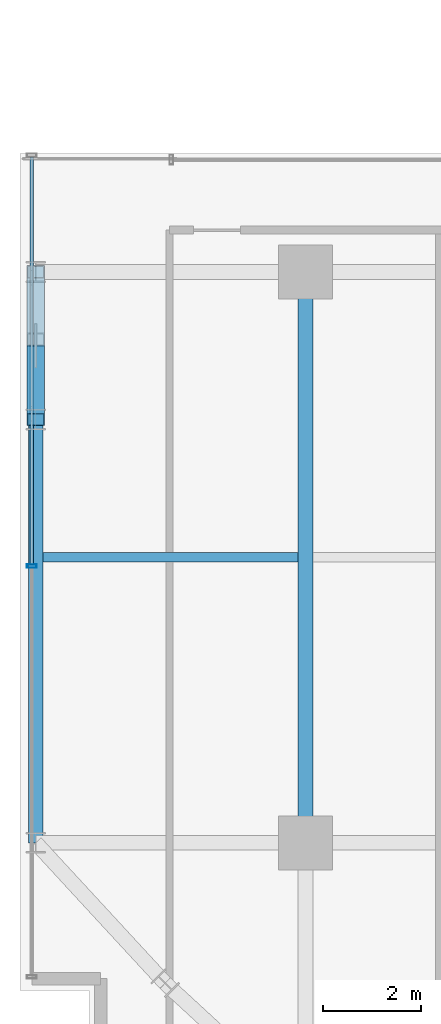
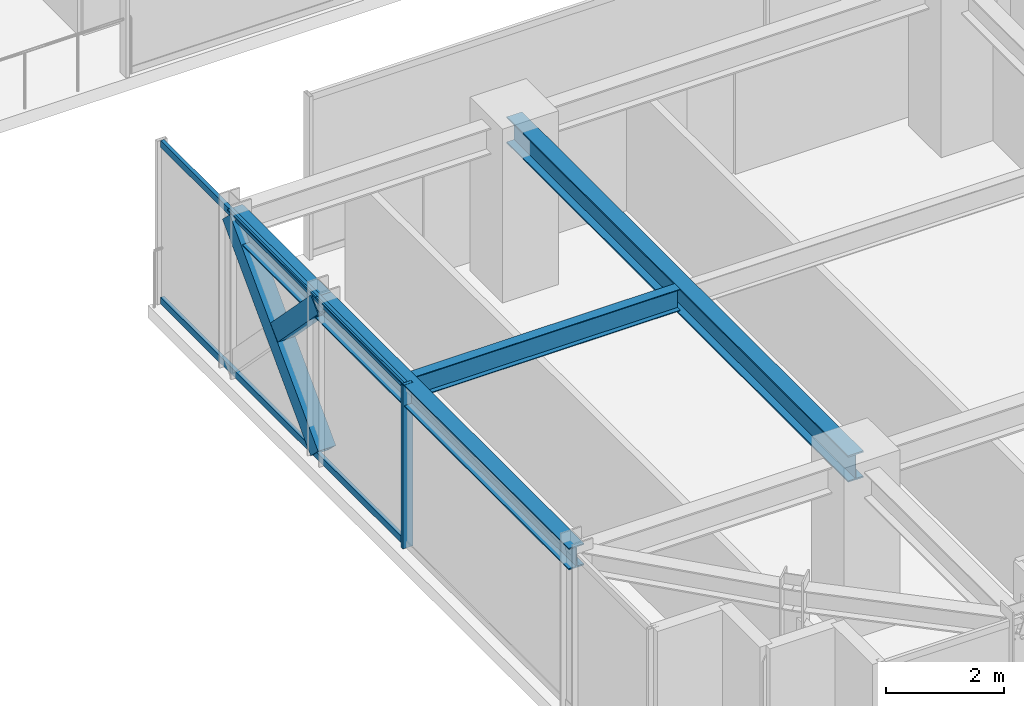
# One storey, part 4 of 41: 5 members, 4 beams, 1 element without a shape of its own.
"""IFC4 building model written with IfcOpenShell, lengths in metres."""

from ifc_helpers import new_model, si_unit, direction, frame, origin, origin_2d, place, context, subcontext, project, spatial, hollow_rectangle, i_section, extrude, source, transform, mapped, material, material_profile, profile_set, type_object, element, aggregate, save


model = new_model("IFC4")

# Units and contexts
model_context = context("Model", 3, precision=1e-05, world=origin(), true_north=direction((0.0, 1.0)))
body_context = subcontext(model_context, "Body", "Model", "MODEL_VIEW")
ifc_project = project(units=[si_unit("LENGTHUNIT", "METRE"), si_unit("AREAUNIT", "SQUARE_METRE"), si_unit("VOLUMEUNIT", "CUBIC_METRE"), si_unit("PLANEANGLEUNIT", "RADIAN"), si_unit("MASSUNIT", "GRAM", prefix="KILO")], contexts=[model_context])

# Site, building, storey
site_placement = place(None, origin())
site = spatial("IfcSite", under=ifc_project, at=site_placement, CompositionType="ELEMENT")
building_placement = place(site_placement, origin())
building = spatial("IfcBuilding", under=site, at=building_placement, Name="Nahalor Promenade Grand Hotel", CompositionType="ELEMENT")
storey_placement = place(building_placement, frame((0.0, 0.0, 159.949951171875)))
storey = spatial("IfcBuildingStorey", under=building, at=storey_placement, Name="L40", CompositionType="ELEMENT", Elevation=159.949951171875)

# Beams
ifc_material_1 = material(Name="Steel S355JR", Category="steel")
ifc_material_profile_1 = material_profile(ifc_material_1, i_section(OverallWidth=0.3, OverallDepth=0.55, WebThickness=0.015, FlangeThickness=0.029, at=origin_2d()), Name="HEB 550")
ifc_profile_set_1 = profile_set([ifc_material_profile_1], Name="Steel S355JR")
beam_type_1 = type_object("IfcBeamType", Name="Beam-Girder-HEB550", PredefinedType="BEAM", material=ifc_profile_set_1)
shared_shape_1 = source(origin(), body_context, "Body", "SweptSolid", [
    extrude(i_section(OverallWidth=0.3, OverallDepth=0.55, WebThickness=0.015, FlangeThickness=0.029, at=origin_2d()), origin(), (0.0, 0.0, 1.0), 11.60009765625),
])
beam_1_placement = place(storey_placement, frame((-17.0, -17.0, 3.114990234375), z_axis=(0.0, 1.0, 0.0), x_axis=(-1.0, 0.0, 0.0)))
element("IfcBeam", 1, at=beam_1_placement, inside=storey, type_object=beam_type_1, Name="BM-L40-GY-0-1", PredefinedType="BEAM", context=body_context, shape_type="MappedRepresentation", body=[
    mapped(shared_shape_1, transform((0.0, 0.0, 0.0), scale=1.0)),
])
ifc_material_profile_2 = material_profile(ifc_material_1, i_section(OverallWidth=0.19, OverallDepth=0.45, WebThickness=0.0094, FlangeThickness=0.0146, at=origin_2d()), Name="IPE 450")
ifc_profile_set_2 = profile_set([ifc_material_profile_2], Name="Steel S355JR")
beam_type_2 = type_object("IfcBeamType", Name="Beam-Joist-IPE450", PredefinedType="JOIST", material=ifc_profile_set_2)
shared_shape_2 = source(origin(), body_context, "Body", "SweptSolid", [
    extrude(i_section(OverallWidth=0.19, OverallDepth=0.45, WebThickness=0.0094, FlangeThickness=0.0146, at=origin_2d()), origin(), (0.0, 0.0, 1.0), 5.18017578125),
])
beam_2_placement = place(storey_placement, frame((-22.330078125, -11.199951171875, 3.1650390625), z_axis=(1.0, 0.0, 0.0), x_axis=(0.0, 1.0, 0.0)))
element("IfcBeam", 2, at=beam_2_placement, inside=storey, type_object=beam_type_2, Name="BM-L40-JSW-0-0", PredefinedType="JOIST", context=body_context, shape_type="MappedRepresentation", body=[
    mapped(shared_shape_2, transform((0.0, 0.0, 0.0), scale=1.0)),
])
ifc_material_profile_3 = material_profile(ifc_material_1, i_section(OverallWidth=0.3, OverallDepth=0.45, WebThickness=0.014, FlangeThickness=0.026, at=origin_2d()), Name="HEB 450")
ifc_profile_set_3 = profile_set([ifc_material_profile_3], Name="Steel S355JR")
beam_type_3 = type_object("IfcBeamType", Name="Beam-Spandrel-HEB450", PredefinedType="SPANDREL", material=ifc_profile_set_3)
shared_shape_3 = source(origin(), body_context, "Body", "SweptSolid", [
    extrude(i_section(OverallWidth=0.3, OverallDepth=0.45, WebThickness=0.014, FlangeThickness=0.026, at=origin_2d()), origin(), (0.0, 0.0, 1.0), 8.60009765625),
])
beam_3_placement = place(storey_placement, frame((-22.47998046875, -17.0, 3.1650390625), z_axis=(0.0, 1.0, 0.0), x_axis=(-1.0, 0.0, 0.0)))
element("IfcBeam", 3, at=beam_3_placement, inside=storey, type_object=beam_type_3, Name="BM-L40-SP-W-0", PredefinedType="SPANDREL", context=body_context, shape_type="MappedRepresentation", body=[
    mapped(shared_shape_3, transform((0.0, 0.0, 0.0), scale=1.0)),
])
shared_shape_4 = source(origin(), body_context, "Body", "SweptSolid", [
    extrude(i_section(OverallWidth=0.3, OverallDepth=0.45, WebThickness=0.014, FlangeThickness=0.026, at=origin_2d()), origin(), (0.0, 0.0, 1.0), 3.0),
])
beam_4_placement = place(storey_placement, frame((-22.47998046875, -8.39990234375, 3.1650390625), z_axis=(0.0, 1.0, 0.0), x_axis=(-1.0, 0.0, 0.0)))
element("IfcBeam", 4, at=beam_4_placement, inside=storey, type_object=beam_type_3, Name="BM-L40-SP-W-1", PredefinedType="SPANDREL", context=body_context, shape_type="MappedRepresentation", body=[
    mapped(shared_shape_4, transform((0.0, 0.0, 0.0), scale=1.0)),
])

# Members
ifc_material_profile_4 = material_profile(ifc_material_1, hollow_rectangle(XDim=0.35, YDim=0.35, WallThickness=0.02, at=origin_2d()), Name="SHS 350x350x20")
ifc_profile_set_4 = profile_set([ifc_material_profile_4], Name="Steel S355JR")
member_type_1 = type_object("IfcMemberType", Name="Mem-VoidBrace-SHS350", PredefinedType="BRACE", material=ifc_profile_set_4)
shared_shape_5 = source(origin(), body_context, "Body", "SweptSolid", [
    extrude(hollow_rectangle(XDim=0.35, YDim=0.35, WallThickness=0.02, at=origin_2d()), origin(), (0.0, 0.0, 1.0), 4.306640625),
])
member_1_placement = place(storey_placement, frame((-22.47998046875, -8.39990234375, 0.150146484375), z_axis=(0.0, 0.696598997639, 0.717460686371), x_axis=(-1.0, 0.0, 0.0)))
element("IfcMember", 5, at=member_1_placement, inside=storey, type_object=member_type_1, Name="EXO-L40-VX1-W0", PredefinedType="BRACE", context=body_context, shape_type="MappedRepresentation", body=[
    mapped(shared_shape_5, transform((0.0, 0.0, 0.0), scale=1.0)),
])
shared_shape_6 = source(origin(), body_context, "Body", "SweptSolid", [
    extrude(hollow_rectangle(XDim=0.35, YDim=0.35, WallThickness=0.02, at=origin_2d()), origin(), (0.0, 0.0, 1.0), 1.966064453125),
])
member_2_placement = place(storey_placement, frame((-22.47998046875, -7.0302734375, 1.829345703125), z_axis=(0.0, -0.696599482471, 0.717460215636), x_axis=(1.0, 0.0, 0.0)))
element("IfcMember", 6, at=member_2_placement, inside=storey, type_object=member_type_1, Name="EXO-L40-VX2-W0B", PredefinedType="BRACE", context=body_context, shape_type="MappedRepresentation", body=[
    mapped(shared_shape_6, transform((0.0, 0.0, 0.0), scale=1.0)),
])

# Curtain wall, members
ifc_material_2 = material(Name="Anodised Bronze Aluminium EN AW-6063 T6", Category="aluminium")
curtain_wall_type = type_object("IfcCurtainWallType", Name="CW3 Elliptical-Void Collar Unitised Curtain Wall", PredefinedType="USERDEFINED", material=ifc_material_2)
curtain_wall_placement = place(storey_placement, origin())
curtain_wall = element("IfcCurtainWall", 7, at=curtain_wall_placement, inside=storey, type_object=curtain_wall_type, Name="L40 Curtain Wall CW-L40-W-1", ObjectType="UNITISED_CURTAIN_WALL", PredefinedType="USERDEFINED")
ifc_material_profile_5 = material_profile(ifc_material_2, hollow_rectangle(XDim=0.07, YDim=0.2, WallThickness=0.005, at=origin_2d()), Name="CWM 70x200x5")
ifc_profile_set_5 = profile_set([ifc_material_profile_5], Name="Anodised Bronze Aluminium EN AW-6063 T6")
member_type_2 = type_object("IfcMemberType", Name="CWM3 Void Collar Mullion 70x200", PredefinedType="MULLION", material=ifc_profile_set_5)
shared_shape_7 = source(origin(), body_context, "Body", "SweptSolid", [
    extrude(hollow_rectangle(XDim=0.07, YDim=0.2, WallThickness=0.005, at=origin_2d()), origin(), (0.0, 0.0, 1.0), 3.39013671875),
])
member_3_placement = place(storey_placement, frame((-22.56005859375, -11.37939453125, 0.0), z_axis=(0.0, 0.0, 1.0), x_axis=(0.0, 1.0, 0.0)))
member_3 = element("IfcMember", 8, at=member_3_placement, type_object=member_type_2, Name="CW-L40-W-1 Mullion 1", PredefinedType="MULLION", context=body_context, shape_type="MappedRepresentation", body=[
    mapped(shared_shape_7, transform((0.0, 0.0, 0.0), scale=1.0)),
])
ifc_material_profile_6 = material_profile(ifc_material_2, hollow_rectangle(XDim=0.07, YDim=0.14, WallThickness=0.004, at=origin_2d()), Name="CWT 70x140x4")
ifc_profile_set_6 = profile_set([ifc_material_profile_6], Name="Anodised Bronze Aluminium EN AW-6063 T6")
member_type_3 = type_object("IfcMemberType", Name="CWT3 Void Collar Transom 70x140", PredefinedType="USERDEFINED", material=ifc_profile_set_6)
shared_shape_8 = source(origin(), body_context, "Body", "SweptSolid", [
    extrude(hollow_rectangle(XDim=0.07, YDim=0.14, WallThickness=0.004, at=origin_2d()), origin(), (0.0, 0.0, 1.0), 8.275390625),
])
member_4_placement = place(storey_placement, frame((-22.56005859375, -11.344482421875, 0.070068359375), z_axis=(0.0, 1.0, 0.0), x_axis=(-1.0, 0.0, 0.0)))
member_4 = element("IfcMember", 9, at=member_4_placement, type_object=member_type_3, Name="CW-L40-W-1 Transom 1-0", ObjectType="TRANSOM", PredefinedType="USERDEFINED", context=body_context, shape_type="MappedRepresentation", body=[
    mapped(shared_shape_8, transform((0.0, 0.0, 0.0), scale=1.0)),
])
member_5_placement = place(storey_placement, frame((-22.56005859375, -11.344482421875, 3.320068359375), z_axis=(0.0, 1.0, 0.0), x_axis=(-1.0, 0.0, 0.0)))
member_5 = element("IfcMember", 10, at=member_5_placement, type_object=member_type_3, Name="CW-L40-W-1 Transom 1-1", ObjectType="TRANSOM", PredefinedType="USERDEFINED", context=body_context, shape_type="MappedRepresentation", body=[
    mapped(shared_shape_8, transform((0.0, 0.0, 0.0), scale=1.0)),
])
aggregate(curtain_wall, [member_3, member_4, member_5])

save(model, "model.ifc")
